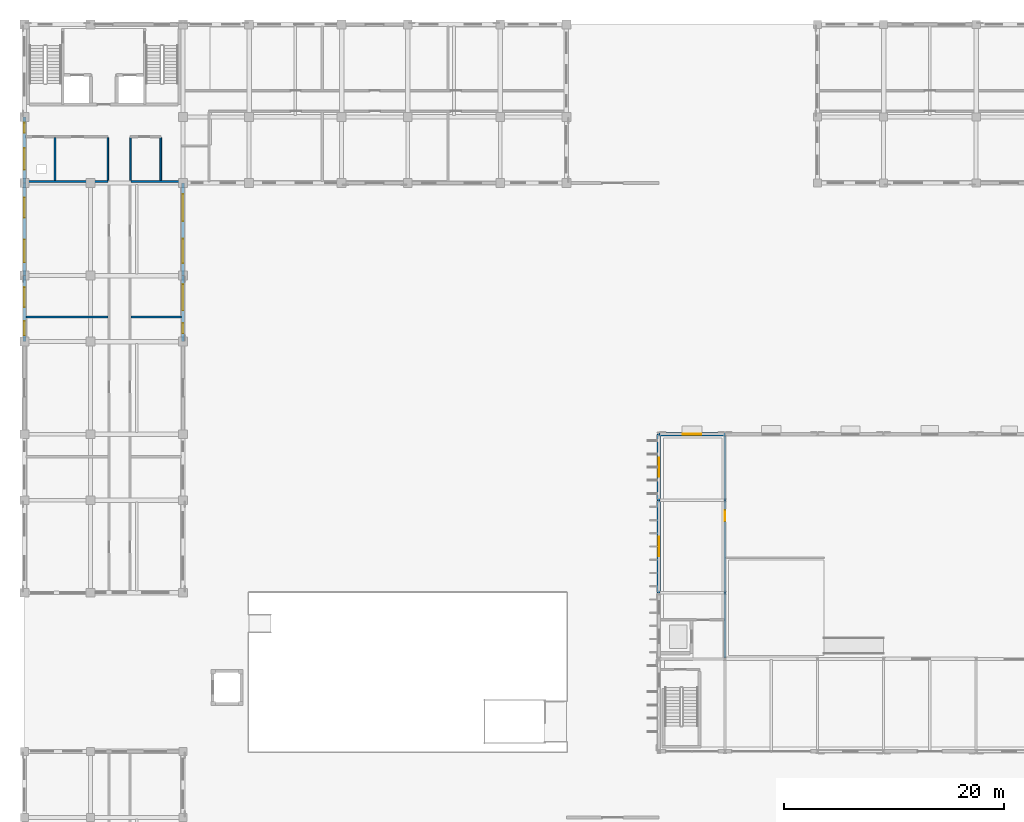
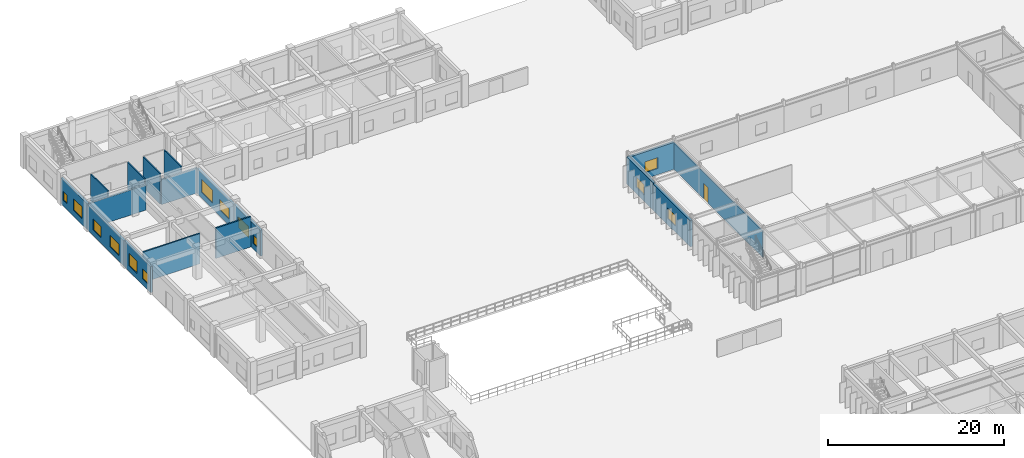
# One storey, part 35 of 67: 17 walls, 13 windows, 1 door, 14 openings.
"""IFC4 building model written with IfcOpenShell, lengths in metres."""

from ifc_helpers import new_model, si_unit, direction, frame, frame_2d, origin, place, context, subcontext, project, spatial, rectangle, extrude, material, layer, layer_set, type_object, element, fill, save


model = new_model("IFC4")

# Units and contexts
model_context = context("Model", 3, precision=1e-05, world=origin(), true_north=direction((0.0, 1.0)))
body_context = subcontext(model_context, "Body", "Model", "MODEL_VIEW")
ifc_project = project(units=[si_unit("LENGTHUNIT", "METRE"), si_unit("AREAUNIT", "SQUARE_METRE"), si_unit("VOLUMEUNIT", "CUBIC_METRE"), si_unit("PLANEANGLEUNIT", "RADIAN"), si_unit("MASSUNIT", "GRAM", prefix="KILO"), si_unit("THERMODYNAMICTEMPERATUREUNIT", "KELVIN")], contexts=[model_context])

# Site, building, storey
site_placement = place(None, origin())
site = spatial("IfcSite", under=ifc_project, at=site_placement, CompositionType="ELEMENT")
building_placement = place(site_placement, origin())
building = spatial("IfcBuilding", under=site, at=building_placement, Name="Thalorik Housing Commons", CompositionType="ELEMENT")
storey_placement = place(building_placement, origin())
storey = spatial("IfcBuildingStorey", under=building, at=storey_placement, Name="L00", CompositionType="ELEMENT", Elevation=0.0)

# Wall, openings, windows
ifc_material_1 = material(Name="White precast concrete C40/50", Category="concrete")
ifc_layer_1 = layer(ifc_material_1, 0.264892578125, Name="White precast concrete C40/50", Category="concrete")
ifc_layer_set_1 = layer_set([ifc_layer_1], Name="White precast concrete C40/50")
wall_type_1 = type_object("IfcWallType", Name="ARC-WAL-EXT-265", PredefinedType="STANDARD", material=ifc_layer_set_1)
wall_1_placement = place(storey_placement, frame((8.39990234375, 115.199951171875, 0.0), z_axis=(0.0, 0.0, 1.0), x_axis=(0.0, -1.0, 0.0)))
wall_1 = element("IfcWall", 1, at=wall_1_placement, inside=storey, type_object=wall_type_1, Name="L00 Exterior Wall WAL-EXT-L00-A-0016", PredefinedType="STANDARD", context=body_context, shape_type="SweptSolid", body=[
    extrude(rectangle(XDim=6.0, YDim=0.264892578125, at=frame_2d((3.0, 0.0))), origin(), (0.0, 0.0, 1.0), 3.5849609375),
])
opening_1_placement = place(wall_1_placement, frame((0.544921875, 0.0, 0.780029296875)))
opening_1 = element("IfcOpeningElement", 2, at=opening_1_placement, cuts=wall_1, Name="Opening W-01", PredefinedType="OPENING", context=body_context, shape_type="SweptSolid", body=[
    extrude(rectangle(XDim=0.89990234375, YDim=1.199951171875, at=frame_2d((0.449951171875, 0.60009765625))), frame((0.0, 0.142578125, 0.0), z_axis=(0.0, -1.0, 0.0), x_axis=(1.0, 0.0, 0.0)), (0.0, 0.0, 1.0), 0.284912109375),
])
opening_2_placement = place(wall_1_placement, frame((2.830078125, 0.0, 0.780029296875)))
opening_2 = element("IfcOpeningElement", 3, at=opening_2_placement, cuts=wall_1, Name="Opening W-22", PredefinedType="OPENING", context=body_context, shape_type="SweptSolid", body=[
    extrude(rectangle(XDim=1.949951171875, YDim=1.64990234375, at=frame_2d((0.97509765625, 0.824951171875))), frame((0.0, 0.142578125, 0.0), z_axis=(0.0, -1.0, 0.0), x_axis=(1.0, 0.0, 0.0)), (0.0, 0.0, 1.0), 0.284912109375),
])
ifc_material_2 = material(Name="Anodised aluminium and solar-control low-E glass", Category="aluminium")
window_type_1 = type_object("IfcWindowType", Name="ARC-WIN-01", PartitioningType="SINGLE_PANEL", PredefinedType="WINDOW", material=ifc_material_2)
window_1_placement = place(opening_1_placement, origin())
window_1 = element("IfcWindow", 4, at=window_1_placement, inside=storey, type_object=window_type_1, Name="L00 Facade Window 27", OverallHeight=1.199951171875, OverallWidth=0.89990234375, PartitioningType="SINGLE_PANEL", PredefinedType="WINDOW", context=body_context, shape_type="SweptSolid", body=[
    extrude(rectangle(XDim=0.89990234375, YDim=1.199951171875, at=frame_2d((0.449951171875, 0.60009765625))), frame((0.0, 0.030029296875, 0.0), z_axis=(0.0, -1.0, 0.0), x_axis=(1.0, 0.0, 0.0)), (0.0, 0.0, 1.0), 0.06005859375),
])
fill(opening_1, window_1)
window_type_2 = type_object("IfcWindowType", Name="ARC-WIN-22", PartitioningType="DOUBLE_PANEL_VERTICAL", PredefinedType="WINDOW", material=ifc_material_2)
window_2_placement = place(opening_2_placement, origin())
window_2 = element("IfcWindow", 5, at=window_2_placement, inside=storey, type_object=window_type_2, Name="L00 Facade Window 28", OverallHeight=1.64990234375, OverallWidth=1.949951171875, PartitioningType="DOUBLE_PANEL_VERTICAL", PredefinedType="WINDOW", context=body_context, shape_type="SweptSolid", body=[
    extrude(rectangle(XDim=1.949951171875, YDim=1.64990234375, at=frame_2d((0.97509765625, 0.824951171875))), frame((0.0, 0.030029296875, 0.0), z_axis=(0.0, -1.0, 0.0), x_axis=(1.0, 0.0, 0.0)), (0.0, 0.0, 1.0), 0.06005859375),
])
fill(opening_2, window_2)

wall_2_placement = place(storey_placement, frame((8.39990234375, 109.199951171875, 0.0), z_axis=(0.0, 0.0, 1.0), x_axis=(0.0, -1.0, 0.0)))
wall_2 = element("IfcWall", 6, at=wall_2_placement, inside=storey, type_object=wall_type_1, Name="L00 Exterior Wall WAL-EXT-L00-A-0017", PredefinedType="STANDARD", context=body_context, shape_type="SweptSolid", body=[
    extrude(rectangle(XDim=8.39990234375, YDim=0.264892578125, at=frame_2d((4.199951171875, 0.0))), origin(), (0.0, 0.0, 1.0), 3.485107421875),
])
opening_3_placement = place(wall_2_placement, frame((1.330078125, 0.0, 0.780029296875)))
opening_3 = element("IfcOpeningElement", 7, at=opening_3_placement, cuts=wall_2, Name="Opening W-18", PredefinedType="OPENING", context=body_context, shape_type="SweptSolid", body=[
    extrude(rectangle(XDim=1.800048828125, YDim=1.5, at=frame_2d((0.89990234375, 0.75))), frame((0.0, 0.142578125, 0.0), z_axis=(0.0, -1.0, 0.0), x_axis=(1.0, 0.0, 0.0)), (0.0, 0.0, 1.0), 0.284912109375),
])
opening_4_placement = place(wall_2_placement, frame((5.14501953125, 0.0, 0.780029296875)))
opening_4 = element("IfcOpeningElement", 8, at=opening_4_placement, cuts=wall_2, Name="Opening W-25", PredefinedType="OPENING", context=body_context, shape_type="SweptSolid", body=[
    extrude(rectangle(XDim=2.050048828125, YDim=1.60009765625, at=frame_2d((1.02490234375, 0.800048828125))), frame((0.0, 0.142578125, 0.0), z_axis=(0.0, -1.0, 0.0), x_axis=(1.0, 0.0, 0.0)), (0.0, 0.0, 1.0), 0.284912109375),
])
window_type_3 = type_object("IfcWindowType", Name="ARC-WIN-18", PartitioningType="DOUBLE_PANEL_VERTICAL", PredefinedType="WINDOW", material=ifc_material_2)
window_3_placement = place(opening_3_placement, origin())
window_3 = element("IfcWindow", 9, at=window_3_placement, inside=storey, type_object=window_type_3, Name="L00 Facade Window 29", OverallHeight=1.5, OverallWidth=1.800048828125, PartitioningType="DOUBLE_PANEL_VERTICAL", PredefinedType="WINDOW", context=body_context, shape_type="SweptSolid", body=[
    extrude(rectangle(XDim=1.800048828125, YDim=1.5, at=frame_2d((0.89990234375, 0.75))), frame((0.0, 0.030029296875, 0.0), z_axis=(0.0, -1.0, 0.0), x_axis=(1.0, 0.0, 0.0)), (0.0, 0.0, 1.0), 0.06005859375),
])
fill(opening_3, window_3)
window_type_4 = type_object("IfcWindowType", Name="ARC-WIN-25", PartitioningType="DOUBLE_PANEL_VERTICAL", PredefinedType="WINDOW", material=ifc_material_2)
window_4_placement = place(opening_4_placement, origin())
window_4 = element("IfcWindow", 10, at=window_4_placement, inside=storey, type_object=window_type_4, Name="L00 Facade Window 30", OverallHeight=1.60009765625, OverallWidth=2.050048828125, PartitioningType="DOUBLE_PANEL_VERTICAL", PredefinedType="WINDOW", context=body_context, shape_type="SweptSolid", body=[
    extrude(rectangle(XDim=2.050048828125, YDim=1.60009765625, at=frame_2d((1.02490234375, 0.800048828125))), frame((0.0, 0.030029296875, 0.0), z_axis=(0.0, -1.0, 0.0), x_axis=(1.0, 0.0, 0.0)), (0.0, 0.0, 1.0), 0.06005859375),
])
fill(opening_4, window_4)

wall_3_placement = place(storey_placement, frame((8.39990234375, 100.800048828125, 0.0), z_axis=(0.0, 0.0, 1.0), x_axis=(0.0, -1.0, 0.0)))
wall_3 = element("IfcWall", 11, at=wall_3_placement, inside=storey, type_object=wall_type_1, Name="L00 Exterior Wall WAL-EXT-L00-A-0018", PredefinedType="STANDARD", context=body_context, shape_type="SweptSolid", body=[
    extrude(rectangle(XDim=6.0, YDim=0.264892578125, at=frame_2d((3.0, 0.0))), origin(), (0.0, 0.0, 1.0), 3.5849609375),
])
opening_5_placement = place(wall_3_placement, frame((1.074951171875, 0.0, 0.780029296875)))
opening_5 = element("IfcOpeningElement", 12, at=opening_5_placement, cuts=wall_3, Name="Opening W-19", PredefinedType="OPENING", context=body_context, shape_type="SweptSolid", body=[
    extrude(rectangle(XDim=1.800048828125, YDim=1.699951171875, at=frame_2d((0.89990234375, 0.85009765625))), frame((0.0, 0.142578125, 0.0), z_axis=(0.0, -1.0, 0.0), x_axis=(1.0, 0.0, 0.0)), (0.0, 0.0, 1.0), 0.284912109375),
])
opening_6_placement = place(wall_3_placement, frame((4.135009765625, 0.0, 0.780029296875)))
opening_6 = element("IfcOpeningElement", 13, at=opening_6_placement, cuts=wall_3, Name="Opening W-06", PredefinedType="OPENING", context=body_context, shape_type="SweptSolid", body=[
    extrude(rectangle(XDim=1.300048828125, YDim=1.39990234375, at=frame_2d((0.64990234375, 0.699951171875))), frame((0.0, 0.142578125, 0.0), z_axis=(0.0, -1.0, 0.0), x_axis=(1.0, 0.0, 0.0)), (0.0, 0.0, 1.0), 0.284912109375),
])
window_type_5 = type_object("IfcWindowType", Name="ARC-WIN-06", PartitioningType="SINGLE_PANEL", PredefinedType="WINDOW", material=ifc_material_2)
window_5_placement = place(opening_6_placement, origin())
window_5 = element("IfcWindow", 14, at=window_5_placement, inside=storey, type_object=window_type_5, Name="L00 Facade Window 32", OverallHeight=1.39990234375, OverallWidth=1.300048828125, PartitioningType="SINGLE_PANEL", PredefinedType="WINDOW", context=body_context, shape_type="SweptSolid", body=[
    extrude(rectangle(XDim=1.300048828125, YDim=1.39990234375, at=frame_2d((0.64990234375, 0.699951171875))), frame((0.0, 0.030029296875, 0.0), z_axis=(0.0, -1.0, 0.0), x_axis=(1.0, 0.0, 0.0)), (0.0, 0.0, 1.0), 0.06005859375),
])
fill(opening_6, window_5)
window_type_6 = type_object("IfcWindowType", Name="ARC-WIN-19", PartitioningType="DOUBLE_PANEL_VERTICAL", PredefinedType="WINDOW", material=ifc_material_2)
window_6_placement = place(opening_5_placement, origin())
window_6 = element("IfcWindow", 15, at=window_6_placement, inside=storey, type_object=window_type_6, Name="L00 Facade Window 31", OverallHeight=1.699951171875, OverallWidth=1.800048828125, PartitioningType="DOUBLE_PANEL_VERTICAL", PredefinedType="WINDOW", context=body_context, shape_type="SweptSolid", body=[
    extrude(rectangle(XDim=1.800048828125, YDim=1.699951171875, at=frame_2d((0.89990234375, 0.85009765625))), frame((0.0, 0.030029296875, 0.0), z_axis=(0.0, -1.0, 0.0), x_axis=(1.0, 0.0, 0.0)), (0.0, 0.0, 1.0), 0.06005859375),
])
fill(opening_5, window_6)

wall_4_placement = place(storey_placement, frame((22.800048828125, 94.800048828125, 0.0), z_axis=(0.0, 0.0, 1.0), x_axis=(0.0, 1.0, 0.0)))
wall_4 = element("IfcWall", 16, at=wall_4_placement, inside=storey, type_object=wall_type_1, Name="L00 Exterior Wall WAL-EXT-L00-A-0027", PredefinedType="STANDARD", context=body_context, shape_type="SweptSolid", body=[
    extrude(rectangle(XDim=6.0, YDim=0.264892578125, at=frame_2d((3.0, 0.0))), origin(), (0.0, 0.0, 1.0), 3.5849609375),
])
opening_7_placement = place(wall_4_placement, frame((0.739990234375, 0.0, 0.780029296875)))
opening_7 = element("IfcOpeningElement", 17, at=opening_7_placement, cuts=wall_4, Name="Opening W-43", PredefinedType="OPENING", context=body_context, shape_type="SweptSolid", body=[
    extrude(rectangle(XDim=0.949951171875, YDim=1.14990234375, at=frame_2d((0.47509765625, 0.574951171875))), frame((0.0, 0.142578125, 0.0), z_axis=(0.0, -1.0, 0.0), x_axis=(1.0, 0.0, 0.0)), (0.0, 0.0, 1.0), 0.284912109375),
])
opening_8_placement = place(wall_4_placement, frame((2.85009765625, 0.0, 0.780029296875)))
opening_8 = element("IfcOpeningElement", 18, at=opening_8_placement, cuts=wall_4, Name="Opening W-33", PredefinedType="OPENING", context=body_context, shape_type="SweptSolid", body=[
    extrude(rectangle(XDim=2.35009765625, YDim=1.550048828125, at=frame_2d((1.175048828125, 0.77490234375))), frame((0.0, 0.142578125, 0.0), z_axis=(0.0, -1.0, 0.0), x_axis=(1.0, 0.0, 0.0)), (0.0, 0.0, 1.0), 0.284912109375),
])
window_type_7 = type_object("IfcWindowType", Name="ARC-WIN-33", PartitioningType="DOUBLE_PANEL_VERTICAL", PredefinedType="WINDOW", material=ifc_material_2)
window_7_placement = place(opening_8_placement, origin())
window_7 = element("IfcWindow", 19, at=window_7_placement, inside=storey, type_object=window_type_7, Name="L00 Facade Window 47", OverallHeight=1.550048828125, OverallWidth=2.35009765625, PartitioningType="DOUBLE_PANEL_VERTICAL", PredefinedType="WINDOW", context=body_context, shape_type="SweptSolid", body=[
    extrude(rectangle(XDim=2.35009765625, YDim=1.550048828125, at=frame_2d((1.175048828125, 0.77490234375))), frame((0.0, 0.030029296875, 0.0), z_axis=(0.0, -1.0, 0.0), x_axis=(1.0, 0.0, 0.0)), (0.0, 0.0, 1.0), 0.06005859375),
])
fill(opening_8, window_7)
window_type_8 = type_object("IfcWindowType", Name="ARC-WIN-43", PartitioningType="SINGLE_PANEL", PredefinedType="WINDOW", material=ifc_material_2)
window_8_placement = place(opening_7_placement, origin())
window_8 = element("IfcWindow", 20, at=window_8_placement, inside=storey, type_object=window_type_8, Name="L00 Facade Window 46", OverallHeight=1.14990234375, OverallWidth=0.949951171875, PartitioningType="SINGLE_PANEL", PredefinedType="WINDOW", context=body_context, shape_type="SweptSolid", body=[
    extrude(rectangle(XDim=0.949951171875, YDim=1.14990234375, at=frame_2d((0.47509765625, 0.574951171875))), frame((0.0, 0.030029296875, 0.0), z_axis=(0.0, -1.0, 0.0), x_axis=(1.0, 0.0, 0.0)), (0.0, 0.0, 1.0), 0.06005859375),
])
fill(opening_7, window_8)

wall_5_placement = place(storey_placement, frame((22.800048828125, 100.800048828125, 0.0), z_axis=(0.0, 0.0, 1.0), x_axis=(0.0, 1.0, 0.0)))
wall_5 = element("IfcWall", 21, at=wall_5_placement, inside=storey, type_object=wall_type_1, Name="L00 Exterior Wall WAL-EXT-L00-A-0028", PredefinedType="STANDARD", context=body_context, shape_type="SweptSolid", body=[
    extrude(rectangle(XDim=8.39990234375, YDim=0.264892578125, at=frame_2d((4.199951171875, 0.0))), origin(), (0.0, 0.0, 1.0), 3.485107421875),
])
opening_9_placement = place(wall_5_placement, frame((1.1298828125, 0.0, 0.780029296875)))
opening_9 = element("IfcOpeningElement", 22, at=opening_9_placement, cuts=wall_5, Name="Opening W-29", PredefinedType="OPENING", context=body_context, shape_type="SweptSolid", body=[
    extrude(rectangle(XDim=2.199951171875, YDim=1.5, at=frame_2d((1.10009765625, 0.75))), frame((0.0, 0.142578125, 0.0), z_axis=(0.0, -1.0, 0.0), x_axis=(1.0, 0.0, 0.0)), (0.0, 0.0, 1.0), 0.284912109375),
])
opening_10_placement = place(wall_5_placement, frame((4.945068359375, 0.0, 0.780029296875)))
opening_10 = element("IfcOpeningElement", 23, at=opening_10_placement, cuts=wall_5, Name="Opening W-36", PredefinedType="OPENING", context=body_context, shape_type="SweptSolid", body=[
    extrude(rectangle(XDim=2.449951171875, YDim=1.75, at=frame_2d((1.22509765625, 0.875))), frame((0.0, 0.142578125, 0.0), z_axis=(0.0, -1.0, 0.0), x_axis=(1.0, 0.0, 0.0)), (0.0, 0.0, 1.0), 0.284912109375),
])
window_type_9 = type_object("IfcWindowType", Name="ARC-WIN-29", PartitioningType="DOUBLE_PANEL_VERTICAL", PredefinedType="WINDOW", material=ifc_material_2)
window_9_placement = place(opening_9_placement, origin())
window_9 = element("IfcWindow", 24, at=window_9_placement, inside=storey, type_object=window_type_9, Name="L00 Facade Window 48", OverallHeight=1.5, OverallWidth=2.199951171875, PartitioningType="DOUBLE_PANEL_VERTICAL", PredefinedType="WINDOW", context=body_context, shape_type="SweptSolid", body=[
    extrude(rectangle(XDim=2.199951171875, YDim=1.5, at=frame_2d((1.10009765625, 0.75))), frame((0.0, 0.030029296875, 0.0), z_axis=(0.0, -1.0, 0.0), x_axis=(1.0, 0.0, 0.0)), (0.0, 0.0, 1.0), 0.06005859375),
])
fill(opening_9, window_9)
window_type_10 = type_object("IfcWindowType", Name="ARC-WIN-36", PartitioningType="DOUBLE_PANEL_VERTICAL", PredefinedType="WINDOW", material=ifc_material_2)
window_10_placement = place(opening_10_placement, origin())
window_10 = element("IfcWindow", 25, at=window_10_placement, inside=storey, type_object=window_type_10, Name="L00 Facade Window 49", OverallHeight=1.75, OverallWidth=2.449951171875, PartitioningType="DOUBLE_PANEL_VERTICAL", PredefinedType="WINDOW", context=body_context, shape_type="SweptSolid", body=[
    extrude(rectangle(XDim=2.449951171875, YDim=1.75, at=frame_2d((1.22509765625, 0.875))), frame((0.0, 0.030029296875, 0.0), z_axis=(0.0, -1.0, 0.0), x_axis=(1.0, 0.0, 0.0)), (0.0, 0.0, 1.0), 0.06005859375),
])
fill(opening_10, window_10)

# Wall, opening, window
ifc_layer_2 = layer(ifc_material_1, 0.320068359375, Name="White precast concrete C40/50", Category="concrete")
ifc_layer_set_2 = layer_set([ifc_layer_2], Name="White precast concrete C40/50")
wall_type_2 = type_object("IfcWallType", Name="ARC-WAL-EXT-320", PredefinedType="STANDARD", material=ifc_layer_set_2)
wall_6_placement = place(storey_placement, frame((72.0, 86.39990234375, 0.0), z_axis=(0.0, 0.0, 1.0), x_axis=(-1.0, 0.0, 0.0)))
wall_6 = element("IfcWall", 26, at=wall_6_placement, inside=storey, type_object=wall_type_2, Name="L00 Exterior Wall WAL-HALL-L00-1296", PredefinedType="STANDARD", context=body_context, shape_type="SweptSolid", body=[
    extrude(rectangle(XDim=6.0, YDim=0.320068359375, at=frame_2d((3.0, 0.0))), origin(), (0.0, 0.0, 1.0), 3.721923828125),
])
opening_11_placement = place(wall_6_placement, frame((2.175048828125, 0.0, 0.85009765625)))
opening_11 = element("IfcOpeningElement", 27, at=opening_11_placement, cuts=wall_6, Name="Opening W-15", PredefinedType="OPENING", context=body_context, shape_type="SweptSolid", body=[
    extrude(rectangle(XDim=1.64990234375, YDim=1.5, at=frame_2d((0.824951171875, 0.75))), frame((0.0, 0.169921875, 0.0), z_axis=(0.0, -1.0, 0.0), x_axis=(1.0, 0.0, 0.0)), (0.0, 0.0, 1.0), 0.340087890625),
])
window_type_11 = type_object("IfcWindowType", Name="ARC-WIN-15", PartitioningType="DOUBLE_PANEL_VERTICAL", PredefinedType="WINDOW", material=ifc_material_2)
window_11_placement = place(opening_11_placement, origin())
window_11 = element("IfcWindow", 28, at=window_11_placement, inside=storey, type_object=window_type_11, Name="L00 Facade Window 2338", OverallHeight=1.5, OverallWidth=1.64990234375, PartitioningType="DOUBLE_PANEL_VERTICAL", PredefinedType="WINDOW", context=body_context, shape_type="SweptSolid", body=[
    extrude(rectangle(XDim=1.64990234375, YDim=1.5, at=frame_2d((0.824951171875, 0.75))), frame((0.0, 0.030029296875, 0.0), z_axis=(0.0, -1.0, 0.0), x_axis=(1.0, 0.0, 0.0)), (0.0, 0.0, 1.0), 0.06005859375),
])
fill(opening_11, window_11)

wall_7_placement = place(storey_placement, frame((66.0, 86.39990234375, 0.0), z_axis=(0.0, 0.0, 1.0), x_axis=(0.0, -1.0, 0.0)))
wall_7 = element("IfcWall", 29, at=wall_7_placement, inside=storey, type_object=wall_type_2, Name="L00 Exterior Wall WAL-HALL-L00-1297", PredefinedType="STANDARD", context=body_context, shape_type="SweptSolid", body=[
    extrude(rectangle(XDim=6.0, YDim=0.320068359375, at=frame_2d((3.0, 0.0))), origin(), (0.0, 0.0, 1.0), 3.77197265625),
])
opening_12_placement = place(wall_7_placement, frame((2.125, 0.0, 0.85009765625)))
opening_12 = element("IfcOpeningElement", 30, at=opening_12_placement, cuts=wall_7, Name="Opening W-17", PredefinedType="OPENING", context=body_context, shape_type="SweptSolid", body=[
    extrude(rectangle(XDim=1.75, YDim=1.449951171875, at=frame_2d((0.875, 0.72509765625))), frame((0.0, 0.169921875, 0.0), z_axis=(0.0, -1.0, 0.0), x_axis=(1.0, 0.0, 0.0)), (0.0, 0.0, 1.0), 0.340087890625),
])
window_type_12 = type_object("IfcWindowType", Name="ARC-WIN-17", PartitioningType="DOUBLE_PANEL_VERTICAL", PredefinedType="WINDOW", material=ifc_material_2)
window_12_placement = place(opening_12_placement, origin())
window_12 = element("IfcWindow", 31, at=window_12_placement, inside=storey, type_object=window_type_12, Name="L00 Facade Window 2339", OverallHeight=1.449951171875, OverallWidth=1.75, PartitioningType="DOUBLE_PANEL_VERTICAL", PredefinedType="WINDOW", context=body_context, shape_type="SweptSolid", body=[
    extrude(rectangle(XDim=1.75, YDim=1.449951171875, at=frame_2d((0.875, 0.72509765625))), frame((0.0, 0.030029296875, 0.0), z_axis=(0.0, -1.0, 0.0), x_axis=(1.0, 0.0, 0.0)), (0.0, 0.0, 1.0), 0.06005859375),
])
fill(opening_12, window_12)

wall_8_placement = place(storey_placement, frame((66.0, 80.39990234375, 0.0), z_axis=(0.0, 0.0, 1.0), x_axis=(0.0, -1.0, 0.0)))
wall_8 = element("IfcWall", 32, at=wall_8_placement, inside=storey, type_object=wall_type_2, Name="L00 Exterior Wall WAL-HALL-L00-1298", PredefinedType="STANDARD", context=body_context, shape_type="SweptSolid", body=[
    extrude(rectangle(XDim=8.39990234375, YDim=0.320068359375, at=frame_2d((4.199951171875, 0.0))), origin(), (0.0, 0.0, 1.0), 3.64990234375),
])
opening_13_placement = place(wall_8_placement, frame((3.300048828125, 0.0, 0.85009765625)))
opening_13 = element("IfcOpeningElement", 33, at=opening_13_placement, cuts=wall_8, Name="Opening W-18", PredefinedType="OPENING", context=body_context, shape_type="SweptSolid", body=[
    extrude(rectangle(XDim=1.800048828125, YDim=1.5, at=frame_2d((0.89990234375, 0.75))), frame((0.0, 0.169921875, 0.0), z_axis=(0.0, -1.0, 0.0), x_axis=(1.0, 0.0, 0.0)), (0.0, 0.0, 1.0), 0.340087890625),
])
window_13_placement = place(opening_13_placement, origin())
window_13 = element("IfcWindow", 34, at=window_13_placement, inside=storey, type_object=window_type_3, Name="L00 Facade Window 2340", OverallHeight=1.5, OverallWidth=1.800048828125, PartitioningType="DOUBLE_PANEL_VERTICAL", PredefinedType="WINDOW", context=body_context, shape_type="SweptSolid", body=[
    extrude(rectangle(XDim=1.800048828125, YDim=1.5, at=frame_2d((0.89990234375, 0.75))), frame((0.0, 0.030029296875, 0.0), z_axis=(0.0, -1.0, 0.0), x_axis=(1.0, 0.0, 0.0)), (0.0, 0.0, 1.0), 0.06005859375),
])
fill(opening_13, window_13)

# Walls
ifc_material_3 = material(Name="Ceramic masonry partition wall", Category="masonry")
ifc_layer_3 = layer(ifc_material_3, 0.14794921875, Name="Ceramic masonry partition wall", Category="masonry")
ifc_layer_set_3 = layer_set([ifc_layer_3], Name="Ceramic masonry partition wall")
wall_type_3 = type_object("IfcWallType", Name="ARC-WAL-PART-150", PredefinedType="PARTITIONING", material=ifc_layer_set_3)
for number, where, z_axis, x_axis, name in (
    (35, (11.175048828125, 113.323974609375, 0.0), (0.0, 0.0, 1.0), (0.0, -1.0, 0.0), "Riser Wall"),
    (36, (15.97509765625, 113.323974609375, 0.0), (0.0, 0.0, 1.0), (0.0, -1.0, 0.0), "Fire Command Room Side Wall"),
):
    element("IfcWall", number, at=place(storey_placement, frame(where, z_axis=z_axis, x_axis=x_axis)), inside=storey, type_object=wall_type_3, Name=name, PredefinedType="PARTITIONING", context=body_context, shape_type="SweptSolid", body=[
        extrude(rectangle(XDim=3.8720703125, YDim=0.14794921875, at=frame_2d((1.93603515625, 0.0))), origin(), (0.0, 0.0, 1.0), 4.199951171875),
    ])
for number, where, z_axis, x_axis, name in (
    (37, (18.02490234375, 113.323974609375, 0.0), (0.0, 0.0, 1.0), (0.0, -1.0, 0.0), "Core Stem East Cheek Wall"),
    (38, (20.780029296875, 113.323974609375, 0.0), (0.0, 0.0, 1.0), (0.0, -1.0, 0.0), "Core East Pocket Wall"),
):
    element("IfcWall", number, at=place(storey_placement, frame(where, z_axis=z_axis, x_axis=x_axis)), inside=storey, type_object=wall_type_3, Name=name, PredefinedType="PARTITIONING", context=body_context, shape_type="SweptSolid", body=[
        extrude(rectangle(XDim=3.889404296875, YDim=0.14794921875, at=frame_2d((1.94482421875, 0.0))), origin(), (0.0, 0.0, 1.0), 4.199951171875),
    ])

# Wall, opening, door
wall_9_placement = place(storey_placement, frame((72.0, 66.10205078125, 0.0), z_axis=(0.0, 0.0, 1.0), x_axis=(0.0, 1.0, 0.0)))
wall_9 = element("IfcWall", 39, at=wall_9_placement, inside=storey, type_object=wall_type_3, Name="L00 Hall West Spine Wall", PredefinedType="PARTITIONING", context=body_context, shape_type="SweptSolid", body=[
    extrude(rectangle(XDim=20.135986328125, YDim=0.14794921875, at=frame_2d((10.06787109375, 0.0))), origin(), (0.0, 0.0, 1.0), 3.64990234375),
])
opening_14_placement = place(wall_9_placement, frame((12.403076171875, 0.0, 0.0)))
opening_14 = element("IfcOpeningElement", 40, at=opening_14_placement, cuts=wall_9, Name="Opening ID-2174", PredefinedType="OPENING", context=body_context, shape_type="SweptSolid", body=[
    extrude(rectangle(XDim=1.0, YDim=2.14990234375, at=frame_2d((0.5, 1.074951171875))), frame((0.0, 0.083984375, 0.0), z_axis=(0.0, -1.0, 0.0), x_axis=(1.0, 0.0, 0.0)), (0.0, 0.0, 1.0), 0.16796875),
])
ifc_material_4 = material(Name="Steel S355", Category="steel")
door_type = type_object("IfcDoorType", Name="ARC-DR-FD60-1000", OperationType="NOTDEFINED", PredefinedType="DOOR", material=ifc_material_4)
door_placement = place(opening_14_placement, origin())
door = element("IfcDoor", 41, at=door_placement, inside=storey, type_object=door_type, Name="Dressing Room Door", OperationType="SINGLE_SWING_LEFT", OverallHeight=2.14990234375, OverallWidth=1.0, PredefinedType="DOOR", context=body_context, shape_type="SweptSolid", body=[
    extrude(rectangle(XDim=1.0, YDim=2.14990234375, at=frame_2d((0.5, 1.074951171875))), frame((0.0, 0.02490234375, 0.0), z_axis=(0.0, -1.0, 0.0), x_axis=(1.0, 0.0, 0.0)), (0.0, 0.0, 1.0), 0.050048828125),
])
fill(opening_14, door)

# Walls
ifc_material_5 = material(Name="Masonry acoustic blockwork wall", Category="masonry")
ifc_layer_4 = layer(ifc_material_5, 0.18505859375, Name="Masonry acoustic blockwork wall", Category="masonry")
ifc_layer_set_4 = layer_set([ifc_layer_4], Name="Masonry acoustic blockwork wall")
wall_type_4 = type_object("IfcWallType", Name="ARC-WAL-PARTY-185", PredefinedType="PARTITIONING", material=ifc_layer_set_4)
wall_10_placement = place(storey_placement, frame((8.534423828125, 97.0400390625, 0.0), z_axis=(0.0, 0.0, 1.0), x_axis=(1.0, 0.0, 0.0)))
element("IfcWall", 42, at=wall_10_placement, inside=storey, type_object=wall_type_4, Name="L00 Inter-Tenancy Wall 2A", PredefinedType="PARTITIONING", context=body_context, shape_type="SweptSolid", body=[
    extrude(rectangle(XDim=7.461181640625, YDim=0.18505859375, at=frame_2d((3.73046875, 0.0))), origin(), (0.0, 0.0, 1.0), 4.199951171875),
])
wall_11_placement = place(storey_placement, frame((18.056884765625, 109.340087890625, 0.0), z_axis=(0.0, 0.0, 1.0), x_axis=(1.0, 0.0, 0.0)))
element("IfcWall", 43, at=wall_11_placement, inside=storey, type_object=wall_type_4, Name="L00 Core End Wall B", PredefinedType="PARTITIONING", context=body_context, shape_type="SweptSolid", body=[
    extrude(rectangle(XDim=4.68310546875, YDim=0.18505859375, at=frame_2d((2.341552734375, 0.0))), origin(), (0.0, 0.0, 1.0), 3.485107421875),
])
ifc_material_6 = material(Name="Precast concrete C40/50 acoustic wall", Category="concrete")
ifc_layer_5 = layer(ifc_material_6, 0.199951171875, Name="Precast concrete C40/50 acoustic wall", Category="concrete")
ifc_layer_set_5 = layer_set([ifc_layer_5], Name="Precast concrete C40/50 acoustic wall")
wall_type_5 = type_object("IfcWallType", Name="ARC-WAL-PARTY-200", PredefinedType="PARTITIONING", material=ifc_layer_set_5)
wall_12_placement = place(storey_placement, frame((18.056884765625, 97.0400390625, 0.0), z_axis=(0.0, 0.0, 1.0), x_axis=(1.0, 0.0, 0.0)))
element("IfcWall", 44, at=wall_12_placement, inside=storey, type_object=wall_type_5, Name="L00 Inter-Tenancy Wall 2B", PredefinedType="PARTITIONING", context=body_context, shape_type="SweptSolid", body=[
    extrude(rectangle(XDim=4.608642578125, YDim=0.199951171875, at=frame_2d((2.30419921875, 0.0))), origin(), (0.0, 0.0, 1.0), 4.199951171875),
])
ifc_layer_6 = layer(ifc_material_6, 0.219970703125, Name="Precast concrete C40/50 acoustic wall", Category="concrete")
ifc_layer_set_6 = layer_set([ifc_layer_6], Name="Precast concrete C40/50 acoustic wall")
wall_type_6 = type_object("IfcWallType", Name="ARC-WAL-PARTY-220", PredefinedType="PARTITIONING", material=ifc_layer_set_6)
wall_13_placement = place(storey_placement, frame((8.534423828125, 109.340087890625, 0.0), z_axis=(0.0, 0.0, 1.0), x_axis=(1.0, 0.0, 0.0)))
element("IfcWall", 45, at=wall_13_placement, inside=storey, type_object=wall_type_6, Name="L00 Core End Wall A", PredefinedType="PARTITIONING", context=body_context, shape_type="SweptSolid", body=[
    extrude(rectangle(XDim=7.461181640625, YDim=0.219970703125, at=frame_2d((3.73046875, 0.0))), origin(), (0.0, 0.0, 1.0), 3.485107421875),
])

save(model, "model.ifc")
